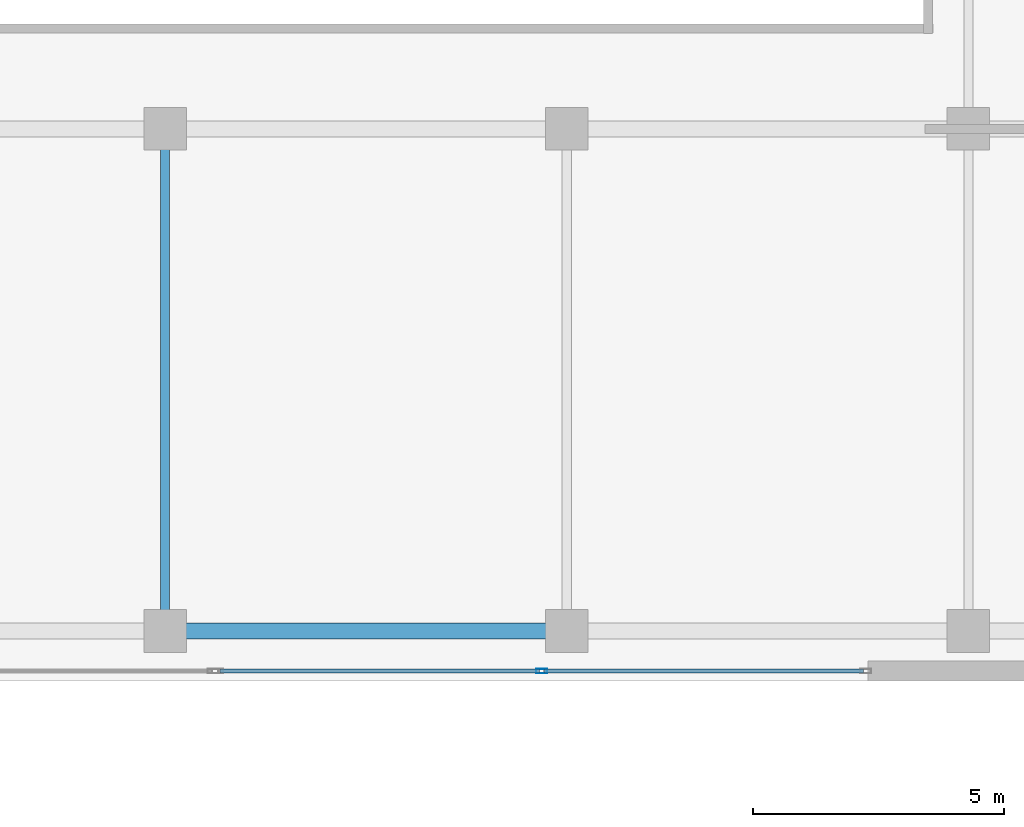
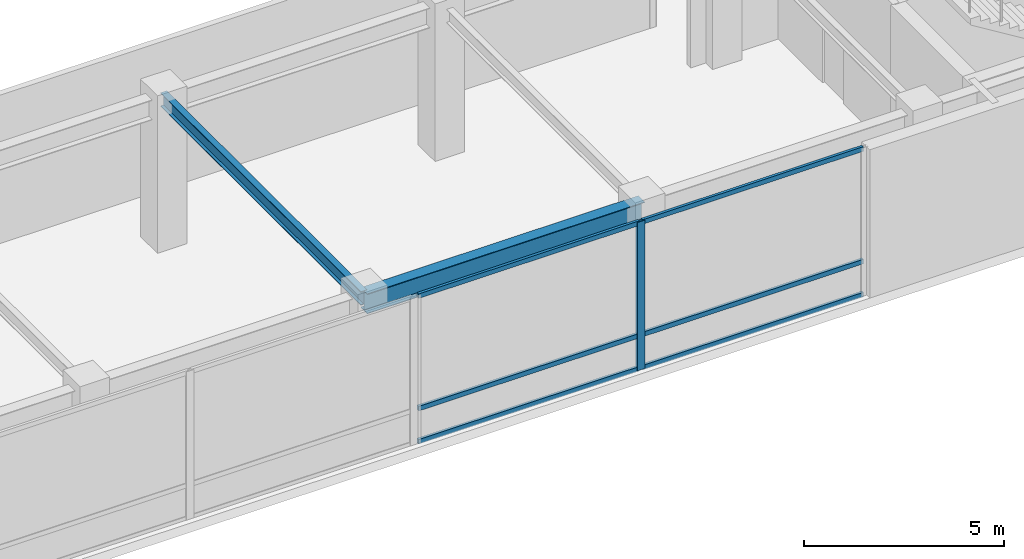
# One storey, part 14 of 40: 7 members, 2 beams, 1 element without a shape of its own.
"""IFC4 building model written with IfcOpenShell, lengths in metres."""

from ifc_helpers import new_model, si_unit, direction, frame, origin, origin_2d, place, context, subcontext, project, spatial, hollow_rectangle, i_section, extrude, material, layer, layer_set, material_profile, profile_set, type_object, element, aggregate, save


model = new_model("IFC4")

# Units and contexts
model_context = context("Model", 3, precision=1e-05, world=origin(), true_north=direction((0.0, 1.0)))
body_context = subcontext(model_context, "Body", "Model", "MODEL_VIEW")
ifc_project = project(units=[si_unit("LENGTHUNIT", "METRE"), si_unit("AREAUNIT", "SQUARE_METRE"), si_unit("VOLUMEUNIT", "CUBIC_METRE"), si_unit("PLANEANGLEUNIT", "RADIAN"), si_unit("MASSUNIT", "GRAM", prefix="KILO")], contexts=[model_context])

# Site, building, storey
site_placement = place(None, origin())
site = spatial("IfcSite", under=ifc_project, at=site_placement, CompositionType="ELEMENT")
building_placement = place(site_placement, origin())
building = spatial("IfcBuilding", under=site, at=building_placement, Name="Kazevale Care Tower and Concert Hall", CompositionType="ELEMENT")
storey_placement = place(building_placement, frame((0.0, 0.0, 4.800048828125)))
storey = spatial("IfcBuildingStorey", under=building, at=storey_placement, Name="L01", CompositionType="ELEMENT", Elevation=4.800048828125)

# Curtain wall, members
ifc_material_1 = material(Name="Aluminium 6063-T6 and Low-E Glass", Category="aluminium")
ifc_layer = layer(ifc_material_1, 0.179931640625)
ifc_layer_set = layer_set([ifc_layer], Name="Aluminium 6063-T6 and Low-E Glass")
curtain_wall_type = type_object("IfcCurtainWallType", Name="Concert Hall Foyer Storefront Curtain Wall CW-6", PredefinedType="NOTDEFINED", material=ifc_layer_set)
curtain_wall_placement = place(storey_placement, origin())
curtain_wall = element("IfcCurtainWall", 1, at=curtain_wall_placement, inside=storey, type_object=curtain_wall_type, Name="cw:L01:hall:S3", PredefinedType="NOTDEFINED")
ifc_material_2 = material(Name="Aluminium 6063-T6", Category="aluminium")
ifc_material_profile_1 = material_profile(ifc_material_2, hollow_rectangle(XDim=0.090087890625, YDim=0.219970703125, WallThickness=0.0048828125, at=origin_2d()), Name="ALU90x220x5")
ifc_profile_set_1 = profile_set([ifc_material_profile_1], Name="Aluminium 6063-T6")
member_type_1 = type_object("IfcMemberType", Name="CW-6 Mullion ALU90x220x5", PredefinedType="MULLION", material=ifc_profile_set_1)
member_1_placement = place(storey_placement, frame((127.5, 14.199951171875, 0.0), z_axis=(0.0, 0.0, 1.0), x_axis=(0.0, 1.0, 0.0)))
member_1 = element("IfcMember", 2, at=member_1_placement, type_object=member_type_1, Name="CW-6 mullion 2", PredefinedType="MULLION", context=body_context, shape_type="SweptSolid", body=[
    extrude(hollow_rectangle(XDim=0.090087890625, YDim=0.219970703125, WallThickness=0.0048828125, at=origin_2d()), origin(), (0.0, 0.0, 1.0), 4.52001953125),
])
ifc_material_profile_2 = material_profile(ifc_material_2, hollow_rectangle(XDim=0.080078125, YDim=0.139892578125, WallThickness=0.00390625, at=origin_2d()), Name="ALU80x140x4")
ifc_profile_set_2 = profile_set([ifc_material_profile_2], Name="Aluminium 6063-T6")
member_type_2 = type_object("IfcMemberType", Name="CW-6 Transom ALU80x140x4", PredefinedType="USERDEFINED", material=ifc_profile_set_2)
member_2_placement = place(storey_placement, frame((121.090087890625, 14.199951171875, 0.0400390625), z_axis=(1.0, 0.0, 0.0), x_axis=(0.0, 1.0, 0.0)))
member_2 = element("IfcMember", 3, at=member_2_placement, type_object=member_type_2, Name="CW-6 transom 1.1", ObjectType="TRANSOM", PredefinedType="USERDEFINED", context=body_context, shape_type="SweptSolid", body=[
    extrude(hollow_rectangle(XDim=0.080078125, YDim=0.139892578125, WallThickness=0.00390625, at=origin_2d()), origin(), (0.0, 0.0, 1.0), 6.364990234375),
])
member_3_placement = place(storey_placement, frame((121.090087890625, 14.199951171875, 1.050048828125), z_axis=(1.0, 0.0, 0.0), x_axis=(0.0, 1.0, 0.0)))
member_3 = element("IfcMember", 4, at=member_3_placement, type_object=member_type_2, Name="CW-6 transom 1.2", ObjectType="TRANSOM", PredefinedType="USERDEFINED", context=body_context, shape_type="SweptSolid", body=[
    extrude(hollow_rectangle(XDim=0.080078125, YDim=0.139892578125, WallThickness=0.00390625, at=origin_2d()), origin(), (0.0, 0.0, 1.0), 6.364990234375),
])
member_4_placement = place(storey_placement, frame((121.090087890625, 14.199951171875, 4.47998046875), z_axis=(1.0, 0.0, 0.0), x_axis=(0.0, 1.0, 0.0)))
member_4 = element("IfcMember", 5, at=member_4_placement, type_object=member_type_2, Name="CW-6 transom 1.3", ObjectType="TRANSOM", PredefinedType="USERDEFINED", context=body_context, shape_type="SweptSolid", body=[
    extrude(hollow_rectangle(XDim=0.080078125, YDim=0.139892578125, WallThickness=0.00390625, at=origin_2d()), origin(), (0.0, 0.0, 1.0), 6.364990234375),
])
member_5_placement = place(storey_placement, frame((127.544921875, 14.199951171875, 0.0400390625), z_axis=(1.0, 0.0, 0.0), x_axis=(0.0, 1.0, 0.0)))
member_5 = element("IfcMember", 6, at=member_5_placement, type_object=member_type_2, Name="CW-6 transom 2.1", ObjectType="TRANSOM", PredefinedType="USERDEFINED", context=body_context, shape_type="SweptSolid", body=[
    extrude(hollow_rectangle(XDim=0.080078125, YDim=0.139892578125, WallThickness=0.00390625, at=origin_2d()), origin(), (0.0, 0.0, 1.0), 6.364990234375),
])
member_6_placement = place(storey_placement, frame((127.544921875, 14.199951171875, 1.050048828125), z_axis=(1.0, 0.0, 0.0), x_axis=(0.0, 1.0, 0.0)))
member_6 = element("IfcMember", 7, at=member_6_placement, type_object=member_type_2, Name="CW-6 transom 2.2", ObjectType="TRANSOM", PredefinedType="USERDEFINED", context=body_context, shape_type="SweptSolid", body=[
    extrude(hollow_rectangle(XDim=0.080078125, YDim=0.139892578125, WallThickness=0.00390625, at=origin_2d()), origin(), (0.0, 0.0, 1.0), 6.364990234375),
])
member_7_placement = place(storey_placement, frame((127.544921875, 14.199951171875, 4.47998046875), z_axis=(1.0, 0.0, 0.0), x_axis=(0.0, 1.0, 0.0)))
member_7 = element("IfcMember", 8, at=member_7_placement, type_object=member_type_2, Name="CW-6 transom 2.3", ObjectType="TRANSOM", PredefinedType="USERDEFINED", context=body_context, shape_type="SweptSolid", body=[
    extrude(hollow_rectangle(XDim=0.080078125, YDim=0.139892578125, WallThickness=0.00390625, at=origin_2d()), origin(), (0.0, 0.0, 1.0), 6.364990234375),
])
aggregate(curtain_wall, [member_1, member_2, member_3, member_4, member_5, member_6, member_7])

# Beams
ifc_material_3 = material(Name="Steel ASTM A572 Gr 50", Category="steel")
ifc_material_profile_3 = material_profile(ifc_material_3, i_section(OverallWidth=0.323974609375, OverallDepth=0.611083984375, WebThickness=0.0126953125, FlangeThickness=0.01904296875, at=origin_2d()), Name="W610x155")
ifc_profile_set_3 = profile_set([ifc_material_profile_3], Name="Steel ASTM A572 Gr 50")
beam_type_1 = type_object("IfcBeamType", Name="Concert Hall Frame Girder W610x155", PredefinedType="BEAM", material=ifc_profile_set_3)
beam_1_placement = place(storey_placement, frame((120.0, 15.0, 4.21435546875), z_axis=(1.0, 0.0, 0.0), x_axis=(0.0, 1.0, 0.0)))
element("IfcBeam", 9, at=beam_1_placement, inside=storey, type_object=beam_type_1, Name="beam:L01:hx:120_15", PredefinedType="BEAM", context=body_context, shape_type="SweptSolid", body=[
    extrude(i_section(OverallWidth=0.323974609375, OverallDepth=0.611083984375, WebThickness=0.0126953125, FlangeThickness=0.01904296875, at=origin_2d()), origin(), (0.0, 0.0, 1.0), 8.0),
])
ifc_material_profile_4 = material_profile(ifc_material_3, i_section(OverallWidth=0.180908203125, OverallDepth=0.4169921875, WebThickness=0.010986328125, FlangeThickness=0.018310546875, at=origin_2d()), Name="W410x85")
ifc_profile_set_4 = profile_set([ifc_material_profile_4], Name="Steel ASTM A572 Gr 50")
beam_type_2 = type_object("IfcBeamType", Name="Concert Hall Secondary Beam W410x85", PredefinedType="BEAM", material=ifc_profile_set_4)
beam_2_placement = place(storey_placement, frame((120.0, 15.0, 4.3115234375), z_axis=(0.0, 1.0, 0.0), x_axis=(-1.0, 0.0, 0.0)))
element("IfcBeam", 10, at=beam_2_placement, inside=storey, type_object=beam_type_2, Name="beam:L01:hy:120_15", PredefinedType="BEAM", context=body_context, shape_type="SweptSolid", body=[
    extrude(i_section(OverallWidth=0.180908203125, OverallDepth=0.4169921875, WebThickness=0.010986328125, FlangeThickness=0.018310546875, at=origin_2d()), origin(), (0.0, 0.0, 1.0), 10.0),
])

save(model, "model.ifc")
